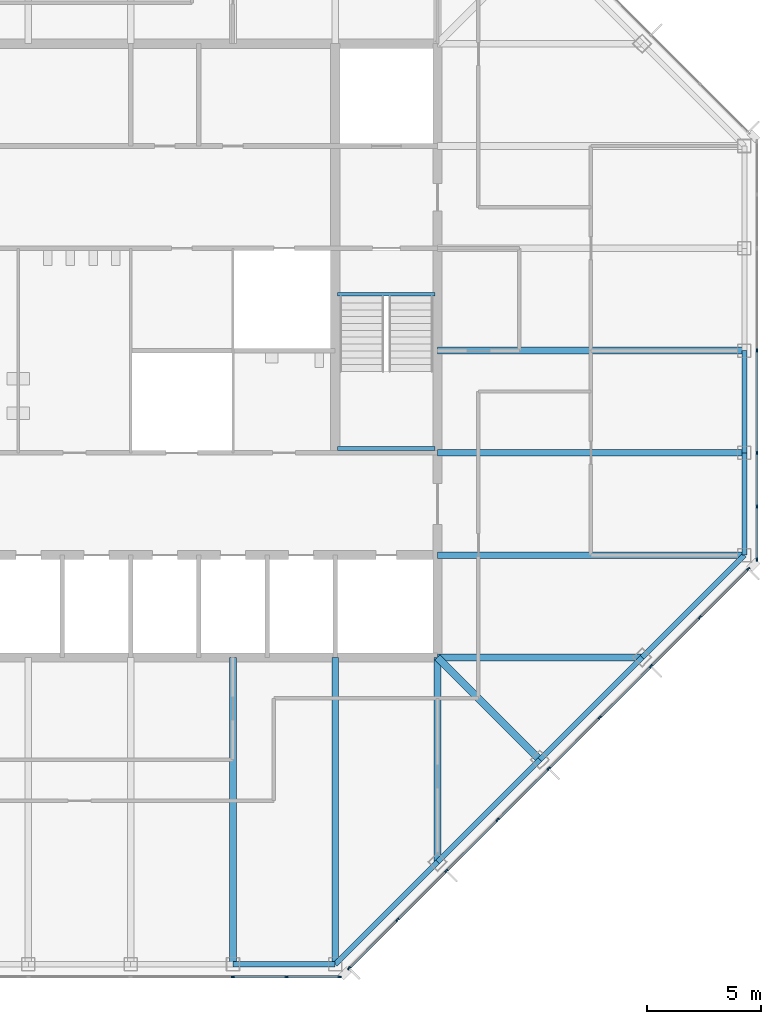
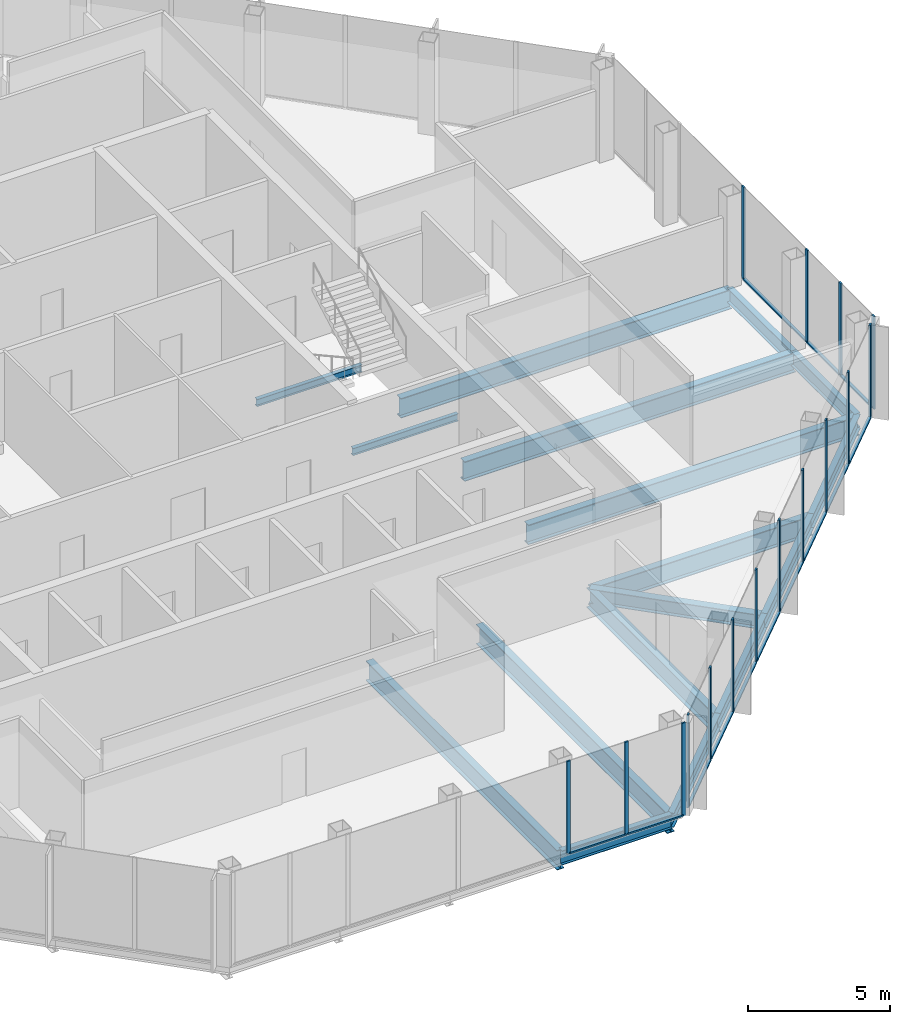
# One storey, part 4 of 14: 29 members, 17 beams, 3 elements without a shape of their own.
"""IFC4 building model written with IfcOpenShell, lengths in metres."""

import ifcopenshell
import ifcopenshell.guid

model = None  # the IFC model being written
_history = None  # IfcOwnerHistory: only IFC2X3 demands one
_inside = {}  # id of a spatial element -> (the spatial element, [elements in it])
_under = {}  # id of a project, library or spatial element -> (it, [spatial elements below it])
_declared = {}  # id of a project -> (the project, [libraries it declares])
_typed = {}  # id of a type object -> (the type object, [elements of that type])
_made_of = {}  # id of a material, layer set ... -> (it, [elements and type objects made of it])


def new_model(schema):
    """Start an empty IFC model of exactly this schema.

    Asked for "IFC4X3", IfcOpenShell would pick the latest addendum, in which some entities
    have other attributes; the version numbers below select the first issue.
    IFC2X3 requires an IfcOwnerHistory on every rooted entity: one is made here for all.
    """
    global model, _history
    if schema == "IFC4X3":
        model = ifcopenshell.file(schema_version=(4, 3, 0, 0))
    else:
        model = ifcopenshell.file(schema=schema)
    _inside.clear()
    _under.clear()
    _declared.clear()
    _typed.clear()
    _made_of.clear()
    _history = None
    if model.schema == "IFC2X3":
        org = make("IfcOrganization", Name="unknown")
        user = make(
            "IfcPersonAndOrganization",
            ThePerson=make("IfcPerson", FamilyName="unknown"),
            TheOrganization=org,
        )
        app = make(
            "IfcApplication",
            ApplicationDeveloper=org,
            Version="unknown",
            ApplicationFullName="unknown",
            ApplicationIdentifier="unknown",
        )
        _history = make(
            "IfcOwnerHistory",
            OwningUser=user,
            OwningApplication=app,
            ChangeAction="ADDED",
            CreationDate=0,
        )
    return model


def make(cls, **values):
    """One entity of the class cls with the attributes given. An attribute that is None is left unset."""
    return model.create_entity(
        cls, **{name: value for name, value in values.items() if value is not None}
    )


def rooted(cls, **values):
    """An entity with a GlobalId (a new one), such as an element, a storey or a relation."""
    return make(cls, GlobalId=ifcopenshell.guid.new(), OwnerHistory=_history, **values)


def si_unit(unit_type, name, prefix=None):
    """IfcSIUnit, for example si_unit("LENGTHUNIT", "METRE", prefix="MILLI")."""
    return make("IfcSIUnit", UnitType=unit_type, Prefix=prefix, Name=name)


def assignment(units):
    """IfcUnitAssignment: the units of a project."""
    return None if units is None else make("IfcUnitAssignment", Units=units)


def point(xyz):
    """IfcCartesianPoint."""
    return None if xyz is None else make("IfcCartesianPoint", Coordinates=xyz)


def direction(xyz):
    """IfcDirection."""
    return None if xyz is None else make("IfcDirection", DirectionRatios=xyz)


def frame(location, z_axis=None, x_axis=None):
    """IfcAxis2Placement3D, a coordinate frame: its origin and axes. An axis left out is left unset."""
    return make(
        "IfcAxis2Placement3D",
        Location=point(location),
        Axis=direction(z_axis),
        RefDirection=direction(x_axis),
    )


def frame_2d(location, x_axis=None):
    """IfcAxis2Placement2D, a coordinate frame in the plane: its origin and x axis."""
    return make(
        "IfcAxis2Placement2D", Location=point(location), RefDirection=direction(x_axis)
    )


def origin():
    """The frame at (0, 0, 0) with its axes left unset."""
    return frame((0.0, 0.0, 0.0))


def origin_2d():
    """The frame at (0, 0) in the plane with its x axis left unset."""
    return frame_2d((0.0, 0.0))


def place(relative_to, where):
    """IfcLocalPlacement: puts the frame where relative to a parent placement (None: the world)."""
    return make(
        "IfcLocalPlacement", PlacementRelTo=relative_to, RelativePlacement=where
    )


def context(
    kind, dimensions, precision=None, world=None, true_north=None, identifier=None
):
    """IfcGeometricRepresentationContext, for example the 3D "Model" context."""
    return make(
        "IfcGeometricRepresentationContext",
        ContextIdentifier=identifier,
        ContextType=kind,
        CoordinateSpaceDimension=dimensions,
        Precision=precision,
        WorldCoordinateSystem=world,
        TrueNorth=true_north,
    )


def subcontext(parent, identifier, kind, view, scale=None):
    """IfcGeometricRepresentationSubContext, for example "Body" below "Model"."""
    return make(
        "IfcGeometricRepresentationSubContext",
        ContextIdentifier=identifier,
        ContextType=kind,
        ParentContext=parent,
        TargetScale=scale,
        TargetView=view,
    )


def project(units=None, contexts=None):
    """IfcProject with its units and contexts."""
    return rooted(
        "IfcProject",
        Name="project",
        RepresentationContexts=contexts,
        UnitsInContext=assignment(units),
    )


def spatial(cls, under=None, at=None, **own):
    """A site, building, storey or space (cls), placed at a placement, below another one or the project."""
    s = rooted(cls, ObjectPlacement=at, **own)
    if under is not None:
        _under.setdefault(under.id(), (under, []))[1].append(s)
    return s


def profile(cls, at=None, kind="AREA", **sizes):
    """A parametric profile (cls). Its sizes go by their IFC names, for example OverallWidth=200.0."""
    return make(cls, ProfileType=kind, Position=at, **sizes)


def rectangle(**sizes):
    """IfcRectangleProfileDef."""
    return profile("IfcRectangleProfileDef", **sizes)


def i_section(**sizes):
    """IfcIShapeProfileDef."""
    return profile("IfcIShapeProfileDef", **sizes)


def extrude(swept, where, along, depth):
    """IfcExtrudedAreaSolid: the profile swept, set in the frame where, extruded along a direction by depth."""
    return make(
        "IfcExtrudedAreaSolid",
        SweptArea=swept,
        Position=where,
        ExtrudedDirection=direction(along),
        Depth=depth,
    )


def shape(context_of_items, identifier, shape_type, items):
    """IfcShapeRepresentation: the items that make up one representation, for example the "Body"."""
    return make(
        "IfcShapeRepresentation",
        ContextOfItems=context_of_items,
        RepresentationIdentifier=identifier,
        RepresentationType=shape_type,
        Items=items,
    )


def material(Name=None, Category=None):
    """IfcMaterial."""
    return make("IfcMaterial", Name=Name, Category=Category)


def material_profile(
    of_material, cross_section, Name=None, Category=None, Priority=None
):
    """IfcMaterialProfile: a cross section and its material."""
    return make(
        "IfcMaterialProfile",
        Name=Name,
        Material=of_material,
        Profile=cross_section,
        Priority=Priority,
        Category=Category,
    )


def profile_set(profiles, Name=None, composite=None):
    """IfcMaterialProfileSet."""
    return make(
        "IfcMaterialProfileSet",
        Name=Name,
        MaterialProfiles=profiles,
        CompositeProfile=composite,
    )


def made_of(thing, what):
    """Note that an element or type object is made of a material, layer set ...; save() writes the relation."""
    if what is not None:
        _made_of.setdefault(what.id(), (what, []))[1].append(thing)
    return thing


def type_object(cls, material=None, **own):
    """A type object (cls), such as IfcWallType, which elements share."""
    return made_of(rooted(cls, **own), material)


def element(
    cls,
    number,
    at=None,
    inside=None,
    cuts=None,
    type_object=None,
    material=None,
    context=None,
    identifier="Body",
    shape_type=None,
    held_by="IfcProductDefinitionShape",
    body=None,
    shapes=None,
    **own,
):
    """One element of the class cls, such as IfcWall. Its Tag is "e" and its number.

    at: its placement. inside: the storey or other place that contains it. cuts: it is an
    opening in that element (IfcRelVoidsElement). A single representation is given by context,
    identifier, shape_type and body (its items); several are given by shapes. held_by: the class
    of the entity that holds the representations. save() writes the other relations.
    """
    e = rooted(cls, Tag="e%d" % number, ObjectPlacement=at, **own)
    if body is not None:
        shapes = [shape(context, identifier, shape_type, body)]
    if shapes is not None:
        e.Representation = make(held_by, Representations=shapes)
    if inside is not None:
        _inside.setdefault(inside.id(), (inside, []))[1].append(e)
    if cuts is not None:
        rooted(
            "IfcRelVoidsElement", RelatingBuildingElement=cuts, RelatedOpeningElement=e
        )
    if type_object is not None:
        _typed.setdefault(type_object.id(), (type_object, []))[1].append(e)
    return made_of(e, material)


def aggregate(whole, parts):
    """IfcRelAggregates: a whole, such as a stair, and the parts it consists of."""
    return rooted("IfcRelAggregates", RelatingObject=whole, RelatedObjects=parts)


def save(model, path):
    """Write the relations noted so far, then the file.

    IfcRelAggregates (storeys below a building ...), IfcRelContainedInSpatialStructure (elements
    in a storey), IfcRelDefinesByType, IfcRelAssociatesMaterial and IfcRelDeclares: one each for
    every whole, place, type object, material and project.
    """
    for whole, parts in _under.values():
        aggregate(whole, parts)
    for where, things in _inside.values():
        rooted(
            "IfcRelContainedInSpatialStructure",
            RelatedElements=things,
            RelatingStructure=where,
        )
    for kind, things in _typed.values():
        rooted("IfcRelDefinesByType", RelatedObjects=things, RelatingType=kind)
    for what, things in _made_of.values():
        rooted("IfcRelAssociatesMaterial", RelatedObjects=things, RelatingMaterial=what)
    for by, libraries in _declared.values():
        rooted("IfcRelDeclares", RelatingContext=by, RelatedDefinitions=libraries)
    model.write(path)


model = new_model("IFC4")

# Units and contexts
model_context = context("Model", 3, precision=1e-05, world=origin(), true_north=direction((0.0, 1.0)))
body_context = subcontext(model_context, "Body", "Model", "MODEL_VIEW")
ifc_project = project(units=[si_unit("LENGTHUNIT", "METRE"), si_unit("AREAUNIT", "SQUARE_METRE"), si_unit("VOLUMEUNIT", "CUBIC_METRE"), si_unit("PLANEANGLEUNIT", "RADIAN"), si_unit("MASSUNIT", "GRAM", prefix="KILO")], contexts=[model_context])

# Site, building, storey
site_placement = place(None, origin())
site = spatial("IfcSite", under=ifc_project, at=site_placement, CompositionType="ELEMENT")
building_placement = place(site_placement, origin())
building = spatial("IfcBuilding", under=site, at=building_placement, Name="Corais Broadcast Tower", CompositionType="ELEMENT")
storey_placement = place(building_placement, frame((0.0, 0.0, 286.60009765625)))
storey = spatial("IfcBuildingStorey", under=building, at=storey_placement, Name="L67", CompositionType="ELEMENT", Elevation=286.60009765625)

# Beams
ifc_material_1 = material(Name="Steel ASTM A572 Grade 50", Category="steel")
ifc_material_profile_1 = material_profile(ifc_material_1, i_section(OverallWidth=0.323974609375, OverallDepth=0.611083984375, WebThickness=0.0126953125, FlangeThickness=0.01904296875, at=origin_2d()), Name="W610x155")
ifc_profile_set_1 = profile_set([ifc_material_profile_1], Name="Steel ASTM A572 Grade 50")
beam_type_1 = type_object("IfcBeamType", Name="Corner diagonal W610x155", PredefinedType="BEAM", material=ifc_profile_set_1)
beam_1_placement = place(storey_placement, frame((45.0, 9.0, -0.465576171875), z_axis=(-0.707106781187, 0.707106781187, 0.0), x_axis=(-0.707106781187, -0.707106781187, 0.0)))
element("IfcBeam", 1, at=beam_1_placement, inside=storey, type_object=beam_type_1, Name="B6 C/13 to D/12", PredefinedType="BEAM", context=body_context, shape_type="SweptSolid", body=[
    extrude(i_section(OverallWidth=0.323974609375, OverallDepth=0.611083984375, WebThickness=0.0126953125, FlangeThickness=0.01904296875, at=origin_2d()), origin(), (0.0, 0.0, 1.0), 6.364013671875),
])
ifc_material_2 = material(Name="Steel ASTM A572 Grade 50", Category="steel")
ifc_material_profile_2 = material_profile(ifc_material_2, i_section(OverallWidth=0.2939453125, OverallDepth=0.85107421875, WebThickness=0.01611328125, FlangeThickness=0.02685546875, at=origin_2d()), Name="W840x226")
ifc_profile_set_2 = profile_set([ifc_material_profile_2], Name="Steel ASTM A572 Grade 50")
beam_type_2 = type_object("IfcBeamType", Name="Floor beam W840x226", PredefinedType="BEAM", material=ifc_profile_set_2)
for number, where, z_axis, x_axis, name in (
    (2, (31.5, 0.0, -0.585693359375), (0.0, 1.0, 0.0), (-1.0, 0.0, 0.0), "B1 A/10 to D/10"),
    (3, (36.0, 0.0, -0.585693359375), (0.0, 1.0, 0.0), (-1.0, 0.0, 0.0), "B1 A/11 to D/11"),
):
    element("IfcBeam", number, at=place(storey_placement, frame(where, z_axis=z_axis, x_axis=x_axis)), inside=storey, type_object=beam_type_2, Name=name, PredefinedType="BEAM", context=body_context, shape_type="SweptSolid", body=[
        extrude(i_section(OverallWidth=0.2939453125, OverallDepth=0.85107421875, WebThickness=0.01611328125, FlangeThickness=0.02685546875, at=origin_2d()), origin(), (0.0, 0.0, 1.0), 13.5),
    ])
for number, where, z_axis, x_axis, name in (
    (4, (40.5, 4.5, -0.585693359375), (0.0, 1.0, 0.0), (-1.0, 0.0, 0.0), "B1 B/12 to D/12"),
    (5, (49.5, 13.5, -0.585693359375), (-1.0, 0.0, 0.0), (0.0, -1.0, 0.0), "B1 D/14 to D/12"),
):
    element("IfcBeam", number, at=place(storey_placement, frame(where, z_axis=z_axis, x_axis=x_axis)), inside=storey, type_object=beam_type_2, Name=name, PredefinedType="BEAM", context=body_context, shape_type="SweptSolid", body=[
        extrude(i_section(OverallWidth=0.2939453125, OverallDepth=0.85107421875, WebThickness=0.01611328125, FlangeThickness=0.02685546875, at=origin_2d()), origin(), (0.0, 0.0, 1.0), 9.0),
    ])
for number, where, z_axis, x_axis, name in (
    (6, (54.0, 18.0, -0.585693359375), (-1.0, 0.0, 0.0), (0.0, -1.0, 0.0), "B1 E/15 to E/12"),
    (7, (54.0, 22.5, -0.585693359375), (-1.0, 0.0, 0.0), (0.0, -1.0, 0.0), "B1 F/15 to F/12"),
    (8, (54.0, 27.0, -0.585693359375), (-1.0, 0.0, 0.0), (0.0, -1.0, 0.0), "B1 G/15 to G/12"),
):
    element("IfcBeam", number, at=place(storey_placement, frame(where, z_axis=z_axis, x_axis=x_axis)), inside=storey, type_object=beam_type_2, Name=name, PredefinedType="BEAM", context=body_context, shape_type="SweptSolid", body=[
        extrude(i_section(OverallWidth=0.2939453125, OverallDepth=0.85107421875, WebThickness=0.01611328125, FlangeThickness=0.02685546875, at=origin_2d()), origin(), (0.0, 0.0, 1.0), 13.5),
    ])
ifc_material_3 = material(Name="Steel ASTM A572 Grade 50", Category="steel")
ifc_material_profile_3 = material_profile(ifc_material_3, i_section(OverallWidth=0.1650390625, OverallDepth=0.31005859375, WebThickness=0.005859375, FlangeThickness=0.009765625, at=origin_2d()), Name="W310x38.7")
ifc_profile_set_3 = profile_set([ifc_material_profile_3], Name="Steel ASTM A572 Grade 50")
beam_type_3 = type_object("IfcBeamType", Name="Landing trimmer W310x38.7", PredefinedType="BEAM", material=ifc_profile_set_3)
for number, where, z_axis, x_axis, name in (
    (9, (36.10009765625, 29.47509765625, -0.35498046875), (1.0, 0.0, 0.0), (0.0, 1.0, 0.0), "LT1 stair B landing trimmer L67"),
    (10, (36.10009765625, 22.68994140625, 1.64501953125), (1.0, 0.0, 0.0), (0.0, 1.0, 0.0), "LT1 stair B half landing trimmer L67"),
):
    element("IfcBeam", number, at=place(storey_placement, frame(where, z_axis=z_axis, x_axis=x_axis)), inside=storey, type_object=beam_type_3, Name=name, PredefinedType="BEAM", context=body_context, shape_type="SweptSolid", body=[
        extrude(i_section(OverallWidth=0.1650390625, OverallDepth=0.31005859375, WebThickness=0.005859375, FlangeThickness=0.009765625, at=origin_2d()), origin(), (0.0, 0.0, 1.0), 4.2998046875),
    ])

# Curtain wall, members
ifc_material_4 = material(Name="Aluminium and glass", Category="aluminium")
curtain_wall_type = type_object("IfcCurtainWallType", Name="Unitised fritted curtain wall CW3", PredefinedType="NOTDEFINED", material=ifc_material_4)
curtain_wall_1_placement = place(storey_placement, origin())
curtain_wall_1 = element("IfcCurtainWall", 11, at=curtain_wall_1_placement, inside=storey, type_object=curtain_wall_type, Name="CW3 curtain wall L67 6", PredefinedType="NOTDEFINED")
ifc_material_5 = material(Name="Aluminium 6063-T6", Category="aluminium")
ifc_material_profile_4 = material_profile(ifc_material_5, rectangle(XDim=0.06494140625, YDim=0.159912109375, at=origin_2d()), Name="Mullion CW3 65x160")
ifc_profile_set_4 = profile_set([ifc_material_profile_4], Name="Aluminium 6063-T6")
member_type_1 = type_object("IfcMemberType", Name="Mullion CW3 65x160", PredefinedType="MULLION", material=ifc_profile_set_4)
member_1_placement = place(storey_placement, frame((54.550048828125, 27.0, 0.0), z_axis=(0.0, 0.0, 1.0), x_axis=(1.0, 0.0, 0.0)))
member_1 = element("IfcMember", 12, at=member_1_placement, type_object=member_type_1, Name="CW3 mullion 4", PredefinedType="MULLION", context=body_context, shape_type="SweptSolid", body=[
    extrude(rectangle(XDim=0.06494140625, YDim=0.159912109375, at=origin_2d()), origin(), (0.0, 0.0, 1.0), 4.0),
])
member_2_placement = place(storey_placement, frame((54.550048828125, 22.5, 0.0), z_axis=(0.0, 0.0, 1.0), x_axis=(1.0, 0.0, 0.0)))
member_2 = element("IfcMember", 13, at=member_2_placement, type_object=member_type_1, Name="CW3 mullion 5", PredefinedType="MULLION", context=body_context, shape_type="SweptSolid", body=[
    extrude(rectangle(XDim=0.06494140625, YDim=0.159912109375, at=origin_2d()), origin(), (0.0, 0.0, 1.0), 4.0),
])
member_3_placement = place(storey_placement, frame((54.550048828125, 20.135986328125, 0.0), z_axis=(0.0, 0.0, 1.0), x_axis=(1.0, 0.0, 0.0)))
member_3 = element("IfcMember", 14, at=member_3_placement, type_object=member_type_1, Name="CW3 mullion 6", PredefinedType="MULLION", context=body_context, shape_type="SweptSolid", body=[
    extrude(rectangle(XDim=0.06494140625, YDim=0.159912109375, at=origin_2d()), origin(), (0.0, 0.0, 1.0), 4.0),
])
member_4_placement = place(storey_placement, frame((54.550048828125, 17.8046875, 0.0), z_axis=(0.0, 0.0, 1.0), x_axis=(1.0, 0.0, 0.0)))
member_4 = element("IfcMember", 15, at=member_4_placement, type_object=member_type_1, Name="CW3 mullion 7", PredefinedType="MULLION", context=body_context, shape_type="SweptSolid", body=[
    extrude(rectangle(XDim=0.06494140625, YDim=0.159912109375, at=origin_2d()), origin(), (0.0, 0.0, 1.0), 4.0),
])

curtain_wall_2_placement = place(storey_placement, origin())
curtain_wall_2 = element("IfcCurtainWall", 16, at=curtain_wall_2_placement, inside=storey, type_object=curtain_wall_type, Name="CW3 curtain wall L67 7", PredefinedType="NOTDEFINED")
member_5_placement = place(storey_placement, frame((54.17333984375, 17.3955078125, 0.0), z_axis=(0.0, 0.0, 1.0), x_axis=(0.707106781187, -0.707106781187, 0.0)))
member_5 = element("IfcMember", 17, at=member_5_placement, type_object=member_type_1, Name="CW3 mullion 1", PredefinedType="MULLION", context=body_context, shape_type="SweptSolid", body=[
    extrude(rectangle(XDim=0.06494140625, YDim=0.159912109375, at=origin_2d()), origin(), (0.0, 0.0, 1.0), 4.0),
])
member_6_placement = place(storey_placement, frame((52.042724609375, 15.264892578125, 0.0), z_axis=(0.0, 0.0, 1.0), x_axis=(0.707106781187, -0.707106781187, 0.0)))
member_6 = element("IfcMember", 18, at=member_6_placement, type_object=member_type_1, Name="CW3 mullion 2", PredefinedType="MULLION", context=body_context, shape_type="SweptSolid", body=[
    extrude(rectangle(XDim=0.06494140625, YDim=0.159912109375, at=origin_2d()), origin(), (0.0, 0.0, 1.0), 4.0),
])
member_7_placement = place(storey_placement, frame((49.888916015625, 13.111083984375, 0.0), z_axis=(0.0, 0.0, 1.0), x_axis=(0.707106781187, -0.707106781187, 0.0)))
member_7 = element("IfcMember", 19, at=member_7_placement, type_object=member_type_1, Name="CW3 mullion 3", PredefinedType="MULLION", context=body_context, shape_type="SweptSolid", body=[
    extrude(rectangle(XDim=0.06494140625, YDim=0.159912109375, at=origin_2d()), origin(), (0.0, 0.0, 1.0), 4.0),
])
member_8_placement = place(storey_placement, frame((47.638916015625, 10.861083984375, 0.0), z_axis=(0.0, 0.0, 1.0), x_axis=(0.707106781187, -0.707106781187, 0.0)))
member_8 = element("IfcMember", 20, at=member_8_placement, type_object=member_type_1, Name="CW3 mullion 4", PredefinedType="MULLION", context=body_context, shape_type="SweptSolid", body=[
    extrude(rectangle(XDim=0.06494140625, YDim=0.159912109375, at=origin_2d()), origin(), (0.0, 0.0, 1.0), 4.0),
])
member_9_placement = place(storey_placement, frame((45.388916015625, 8.611083984375, 0.0), z_axis=(0.0, 0.0, 1.0), x_axis=(0.707106781187, -0.707106781187, 0.0)))
member_9 = element("IfcMember", 21, at=member_9_placement, type_object=member_type_1, Name="CW3 mullion 5", PredefinedType="MULLION", context=body_context, shape_type="SweptSolid", body=[
    extrude(rectangle(XDim=0.06494140625, YDim=0.159912109375, at=origin_2d()), origin(), (0.0, 0.0, 1.0), 4.0),
])
member_10_placement = place(storey_placement, frame((43.138916015625, 6.361083984375, 0.0), z_axis=(0.0, 0.0, 1.0), x_axis=(0.707106781187, -0.707106781187, 0.0)))
member_10 = element("IfcMember", 22, at=member_10_placement, type_object=member_type_1, Name="CW3 mullion 6", PredefinedType="MULLION", context=body_context, shape_type="SweptSolid", body=[
    extrude(rectangle(XDim=0.06494140625, YDim=0.159912109375, at=origin_2d()), origin(), (0.0, 0.0, 1.0), 4.0),
])
member_11_placement = place(storey_placement, frame((40.888916015625, 4.111083984375, 0.0), z_axis=(0.0, 0.0, 1.0), x_axis=(0.707106781187, -0.707106781187, 0.0)))
member_11 = element("IfcMember", 23, at=member_11_placement, type_object=member_type_1, Name="CW3 mullion 7", PredefinedType="MULLION", context=body_context, shape_type="SweptSolid", body=[
    extrude(rectangle(XDim=0.06494140625, YDim=0.159912109375, at=origin_2d()), origin(), (0.0, 0.0, 1.0), 4.0),
])
member_12_placement = place(storey_placement, frame((38.735107421875, 1.957275390625, 0.0), z_axis=(0.0, 0.0, 1.0), x_axis=(0.707106781187, -0.707106781187, 0.0)))
member_12 = element("IfcMember", 24, at=member_12_placement, type_object=member_type_1, Name="CW3 mullion 8", PredefinedType="MULLION", context=body_context, shape_type="SweptSolid", body=[
    extrude(rectangle(XDim=0.06494140625, YDim=0.159912109375, at=origin_2d()), origin(), (0.0, 0.0, 1.0), 4.0),
])
member_13_placement = place(storey_placement, frame((36.6044921875, -0.17333984375, 0.0), z_axis=(0.0, 0.0, 1.0), x_axis=(0.707106781187, -0.707106781187, 0.0)))
member_13 = element("IfcMember", 25, at=member_13_placement, type_object=member_type_1, Name="CW3 mullion 9", PredefinedType="MULLION", context=body_context, shape_type="SweptSolid", body=[
    extrude(rectangle(XDim=0.06494140625, YDim=0.159912109375, at=origin_2d()), origin(), (0.0, 0.0, 1.0), 4.0),
])

curtain_wall_3_placement = place(storey_placement, origin())
curtain_wall_3 = element("IfcCurtainWall", 26, at=curtain_wall_3_placement, inside=storey, type_object=curtain_wall_type, Name="CW3 curtain wall L67 8", PredefinedType="NOTDEFINED")
member_14_placement = place(storey_placement, frame((36.1953125, -0.550048828125, 0.0), z_axis=(0.0, 0.0, 1.0), x_axis=(0.0, -1.0, 0.0)))
member_14 = element("IfcMember", 27, at=member_14_placement, type_object=member_type_1, Name="CW3 mullion 1", PredefinedType="MULLION", context=body_context, shape_type="SweptSolid", body=[
    extrude(rectangle(XDim=0.06494140625, YDim=0.159912109375, at=origin_2d()), origin(), (0.0, 0.0, 1.0), 4.0),
])
member_15_placement = place(storey_placement, frame((33.864013671875, -0.550048828125, 0.0), z_axis=(0.0, 0.0, 1.0), x_axis=(0.0, -1.0, 0.0)))
member_15 = element("IfcMember", 28, at=member_15_placement, type_object=member_type_1, Name="CW3 mullion 2", PredefinedType="MULLION", context=body_context, shape_type="SweptSolid", body=[
    extrude(rectangle(XDim=0.06494140625, YDim=0.159912109375, at=origin_2d()), origin(), (0.0, 0.0, 1.0), 4.0),
])
member_16_placement = place(storey_placement, frame((31.5, -0.550048828125, 0.0), z_axis=(0.0, 0.0, 1.0), x_axis=(0.0, -1.0, 0.0)))
member_16 = element("IfcMember", 29, at=member_16_placement, type_object=member_type_1, Name="CW3 mullion 3", PredefinedType="MULLION", context=body_context, shape_type="SweptSolid", body=[
    extrude(rectangle(XDim=0.06494140625, YDim=0.159912109375, at=origin_2d()), origin(), (0.0, 0.0, 1.0), 4.0),
])

# Beams
ifc_material_6 = material(Name="Steel ASTM A572 Grade 50", Category="steel")
ifc_material_profile_5 = material_profile(ifc_material_6, i_section(OverallWidth=0.22998046875, OverallDepth=0.616943359375, WebThickness=0.01318359375, FlangeThickness=0.022216796875, at=origin_2d()), Name="W610x140")
ifc_profile_set_5 = profile_set([ifc_material_profile_5], Name="Steel ASTM A572 Grade 50")
beam_type_4 = type_object("IfcBeamType", Name="Spandrel W610x140", PredefinedType="BEAM", material=ifc_profile_set_5)
beam_2_placement = place(storey_placement, frame((31.5, 0.0, -0.468505859375), z_axis=(1.0, 0.0, 0.0), x_axis=(0.0, 1.0, 0.0)))
element("IfcBeam", 30, at=beam_2_placement, inside=storey, type_object=beam_type_4, Name="SB3 A/10 to A/11", PredefinedType="BEAM", context=body_context, shape_type="SweptSolid", body=[
    extrude(i_section(OverallWidth=0.22998046875, OverallDepth=0.616943359375, WebThickness=0.01318359375, FlangeThickness=0.022216796875, at=origin_2d()), origin(), (0.0, 0.0, 1.0), 4.5),
])
for number, where, z_axis, x_axis, name in (
    (31, (36.0, 0.0, -0.468505859375), (0.707106781187, 0.707106781187, 0.0), (-0.707106781187, 0.707106781187, 0.0), "SB3 A/11 to B/12"),
    (32, (40.5, 4.5, -0.468505859375), (0.707106781187, 0.707106781187, 0.0), (-0.707106781187, 0.707106781187, 0.0), "SB3 B/12 to C/13"),
    (33, (45.0, 9.0, -0.468505859375), (0.707106781187, 0.707106781187, 0.0), (-0.707106781187, 0.707106781187, 0.0), "SB3 C/13 to D/14"),
    (34, (49.5, 13.5, -0.468505859375), (0.707106781187, 0.707106781187, 0.0), (-0.707106781187, 0.707106781187, 0.0), "SB3 D/14 to E/15"),
):
    element("IfcBeam", number, at=place(storey_placement, frame(where, z_axis=z_axis, x_axis=x_axis)), inside=storey, type_object=beam_type_4, Name=name, PredefinedType="BEAM", context=body_context, shape_type="SweptSolid", body=[
        extrude(i_section(OverallWidth=0.22998046875, OverallDepth=0.616943359375, WebThickness=0.01318359375, FlangeThickness=0.022216796875, at=origin_2d()), origin(), (0.0, 0.0, 1.0), 6.364013671875),
    ])
for number, where, z_axis, x_axis, name in (
    (35, (54.0, 18.0, -0.468505859375), (0.0, 1.0, 0.0), (-1.0, 0.0, 0.0), "SB3 E/15 to F/15"),
    (36, (54.0, 22.5, -0.468505859375), (0.0, 1.0, 0.0), (-1.0, 0.0, 0.0), "SB3 F/15 to G/15"),
):
    element("IfcBeam", number, at=place(storey_placement, frame(where, z_axis=z_axis, x_axis=x_axis)), inside=storey, type_object=beam_type_4, Name=name, PredefinedType="BEAM", context=body_context, shape_type="SweptSolid", body=[
        extrude(i_section(OverallWidth=0.22998046875, OverallDepth=0.616943359375, WebThickness=0.01318359375, FlangeThickness=0.022216796875, at=origin_2d()), origin(), (0.0, 0.0, 1.0), 4.5),
    ])

# Member
ifc_material_7 = material(Name="Aluminium 6063-T6", Category="aluminium")
ifc_material_profile_6 = material_profile(ifc_material_7, rectangle(XDim=0.1201171875, YDim=0.06494140625, at=origin_2d()), Name="Transom CW3 65x120")
ifc_profile_set_6 = profile_set([ifc_material_profile_6], Name="Aluminium 6063-T6")
member_type_2 = type_object("IfcMemberType", Name="Transom CW3 65x120", PredefinedType="USERDEFINED", material=ifc_profile_set_6)
member_17_placement = place(storey_placement, frame((54.550048828125, 26.967529296875, 0.032470703125), z_axis=(0.0, -1.0, 0.0), x_axis=(1.0, 0.0, 0.0)))
member_17 = element("IfcMember", 37, at=member_17_placement, type_object=member_type_2, Name="CW3 transom 4.1", ObjectType="TRANSOM", PredefinedType="USERDEFINED", context=body_context, shape_type="SweptSolid", body=[
    extrude(rectangle(XDim=0.1201171875, YDim=0.06494140625, at=origin_2d()), origin(), (0.0, 0.0, 1.0), 4.43505859375),
])

member_18_placement = place(storey_placement, frame((54.550048828125, 22.467529296875, 0.032470703125), z_axis=(0.0, -1.0, 0.0), x_axis=(1.0, 0.0, 0.0)))
member_18 = element("IfcMember", 38, at=member_18_placement, type_object=member_type_2, Name="CW3 transom 5.1", ObjectType="TRANSOM", PredefinedType="USERDEFINED", context=body_context, shape_type="SweptSolid", body=[
    extrude(rectangle(XDim=0.1201171875, YDim=0.06494140625, at=origin_2d()), origin(), (0.0, 0.0, 1.0), 2.298828125),
])

member_19_placement = place(storey_placement, frame((54.550048828125, 20.103515625, 0.032470703125), z_axis=(0.0, -1.0, 0.0), x_axis=(1.0, 0.0, 0.0)))
member_19 = element("IfcMember", 39, at=member_19_placement, type_object=member_type_2, Name="CW3 transom 6.1", ObjectType="TRANSOM", PredefinedType="USERDEFINED", context=body_context, shape_type="SweptSolid", body=[
    extrude(rectangle(XDim=0.1201171875, YDim=0.06494140625, at=origin_2d()), origin(), (0.0, 0.0, 1.0), 2.266357421875),
])

aggregate(curtain_wall_1, [member_1, member_2, member_3, member_4, member_17, member_18, member_19])

member_20_placement = place(storey_placement, frame((54.150390625, 17.37255859375, 0.032470703125), z_axis=(-0.707106781187, -0.707106781187, 0.0), x_axis=(0.707106781187, -0.707106781187, 0.0)))
member_20 = element("IfcMember", 40, at=member_20_placement, type_object=member_type_2, Name="CW3 transom 1.1", ObjectType="TRANSOM", PredefinedType="USERDEFINED", context=body_context, shape_type="SweptSolid", body=[
    extrude(rectangle(XDim=0.1201171875, YDim=0.06494140625, at=origin_2d()), origin(), (0.0, 0.0, 1.0), 2.9482421875),
])

member_21_placement = place(storey_placement, frame((52.019775390625, 15.241943359375, 0.032470703125), z_axis=(-0.707106781187, -0.707106781187, 0.0), x_axis=(0.707106781187, -0.707106781187, 0.0)))
member_21 = element("IfcMember", 41, at=member_21_placement, type_object=member_type_2, Name="CW3 transom 2.1", ObjectType="TRANSOM", PredefinedType="USERDEFINED", context=body_context, shape_type="SweptSolid", body=[
    extrude(rectangle(XDim=0.1201171875, YDim=0.06494140625, at=origin_2d()), origin(), (0.0, 0.0, 1.0), 2.98095703125),
])

member_22_placement = place(storey_placement, frame((49.865966796875, 13.088134765625, 0.032470703125), z_axis=(-0.707106781187, -0.707106781187, 0.0), x_axis=(0.707106781187, -0.707106781187, 0.0)))
member_22 = element("IfcMember", 42, at=member_22_placement, type_object=member_type_2, Name="CW3 transom 3.1", ObjectType="TRANSOM", PredefinedType="USERDEFINED", context=body_context, shape_type="SweptSolid", body=[
    extrude(rectangle(XDim=0.1201171875, YDim=0.06494140625, at=origin_2d()), origin(), (0.0, 0.0, 1.0), 3.1171875),
])

member_23_placement = place(storey_placement, frame((47.615966796875, 10.838134765625, 0.032470703125), z_axis=(-0.707106781187, -0.707106781187, 0.0), x_axis=(0.707106781187, -0.707106781187, 0.0)))
member_23 = element("IfcMember", 43, at=member_23_placement, type_object=member_type_2, Name="CW3 transom 4.1", ObjectType="TRANSOM", PredefinedType="USERDEFINED", context=body_context, shape_type="SweptSolid", body=[
    extrude(rectangle(XDim=0.1201171875, YDim=0.06494140625, at=origin_2d()), origin(), (0.0, 0.0, 1.0), 3.1171875),
])

member_24_placement = place(storey_placement, frame((45.365966796875, 8.588134765625, 0.032470703125), z_axis=(-0.707106781187, -0.707106781187, 0.0), x_axis=(0.707106781187, -0.707106781187, 0.0)))
member_24 = element("IfcMember", 44, at=member_24_placement, type_object=member_type_2, Name="CW3 transom 5.1", ObjectType="TRANSOM", PredefinedType="USERDEFINED", context=body_context, shape_type="SweptSolid", body=[
    extrude(rectangle(XDim=0.1201171875, YDim=0.06494140625, at=origin_2d()), origin(), (0.0, 0.0, 1.0), 3.1171875),
])

member_25_placement = place(storey_placement, frame((43.115966796875, 6.338134765625, 0.032470703125), z_axis=(-0.707106781187, -0.707106781187, 0.0), x_axis=(0.707106781187, -0.707106781187, 0.0)))
member_25 = element("IfcMember", 45, at=member_25_placement, type_object=member_type_2, Name="CW3 transom 6.1", ObjectType="TRANSOM", PredefinedType="USERDEFINED", context=body_context, shape_type="SweptSolid", body=[
    extrude(rectangle(XDim=0.1201171875, YDim=0.06494140625, at=origin_2d()), origin(), (0.0, 0.0, 1.0), 3.1171875),
])

member_26_placement = place(storey_placement, frame((40.865966796875, 4.088134765625, 0.032470703125), z_axis=(-0.70714773134, -0.707065828661, 0.0), x_axis=(0.707065828661, -0.70714773134, 0.0)))
member_26 = element("IfcMember", 46, at=member_26_placement, type_object=member_type_2, Name="CW3 transom 7.1", ObjectType="TRANSOM", PredefinedType="USERDEFINED", context=body_context, shape_type="SweptSolid", body=[
    extrude(rectangle(XDim=0.1201171875, YDim=0.06494140625, at=origin_2d()), origin(), (0.0, 0.0, 1.0), 2.98095703125),
])

member_27_placement = place(storey_placement, frame((38.712158203125, 1.934326171875, 0.032470703125), z_axis=(-0.707106781187, -0.707106781187, 0.0), x_axis=(0.707106781187, -0.707106781187, 0.0)))
member_27 = element("IfcMember", 47, at=member_27_placement, type_object=member_type_2, Name="CW3 transom 8.1", ObjectType="TRANSOM", PredefinedType="USERDEFINED", context=body_context, shape_type="SweptSolid", body=[
    extrude(rectangle(XDim=0.1201171875, YDim=0.06494140625, at=origin_2d()), origin(), (0.0, 0.0, 1.0), 2.9482421875),
])

aggregate(curtain_wall_2, [member_5, member_6, member_7, member_8, member_9, member_10, member_11, member_12, member_13, member_20, member_21, member_22, member_23, member_24, member_25, member_26, member_27])

member_28_placement = place(storey_placement, frame((36.162841796875, -0.550048828125, 0.032470703125), z_axis=(-1.0, 0.0, 0.0), x_axis=(0.0, -1.0, 0.0)))
member_28 = element("IfcMember", 48, at=member_28_placement, type_object=member_type_2, Name="CW3 transom 1.1", ObjectType="TRANSOM", PredefinedType="USERDEFINED", context=body_context, shape_type="SweptSolid", body=[
    extrude(rectangle(XDim=0.1201171875, YDim=0.06494140625, at=origin_2d()), origin(), (0.0, 0.0, 1.0), 2.266357421875),
])

member_29_placement = place(storey_placement, frame((33.831298828125, -0.550048828125, 0.032470703125), z_axis=(-1.0, 0.0, 0.0), x_axis=(0.0, -1.0, 0.0)))
member_29 = element("IfcMember", 49, at=member_29_placement, type_object=member_type_2, Name="CW3 transom 2.1", ObjectType="TRANSOM", PredefinedType="USERDEFINED", context=body_context, shape_type="SweptSolid", body=[
    extrude(rectangle(XDim=0.1201171875, YDim=0.06494140625, at=origin_2d()), origin(), (0.0, 0.0, 1.0), 2.298828125),
])

aggregate(curtain_wall_3, [member_14, member_15, member_16, member_28, member_29])

save(model, "model.ifc")
